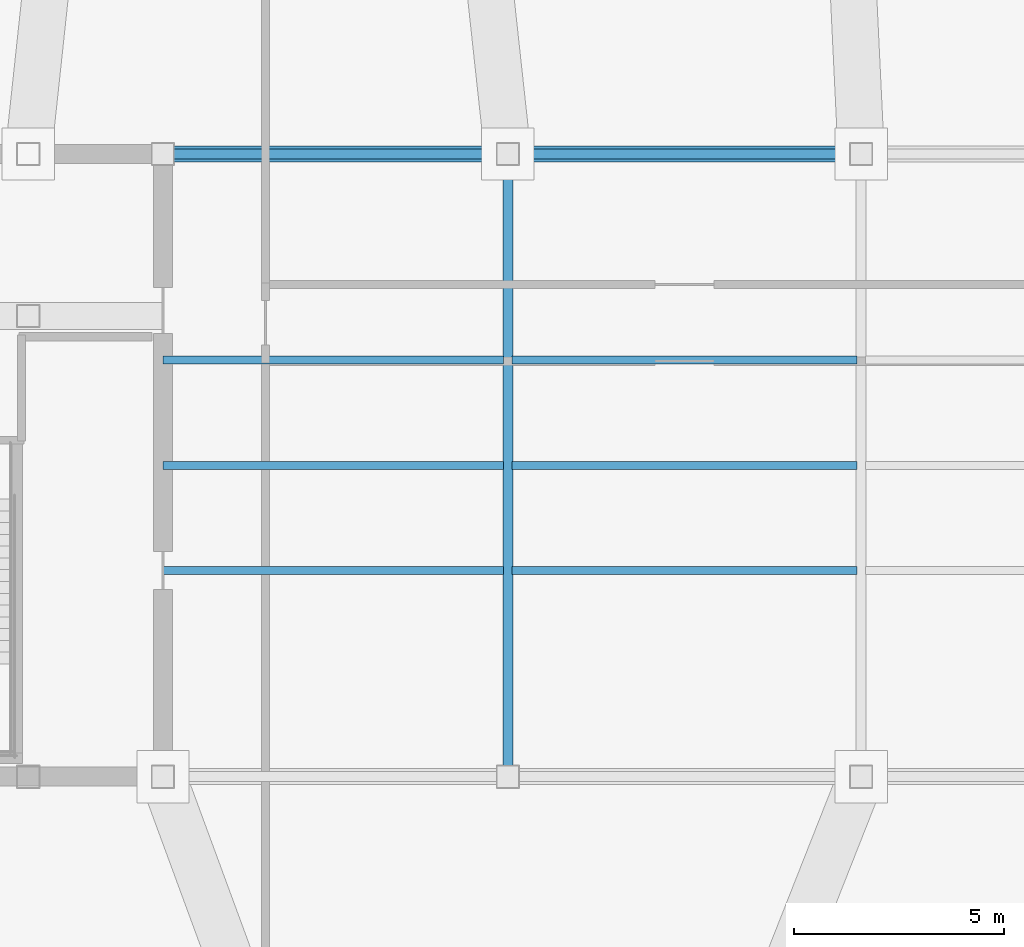
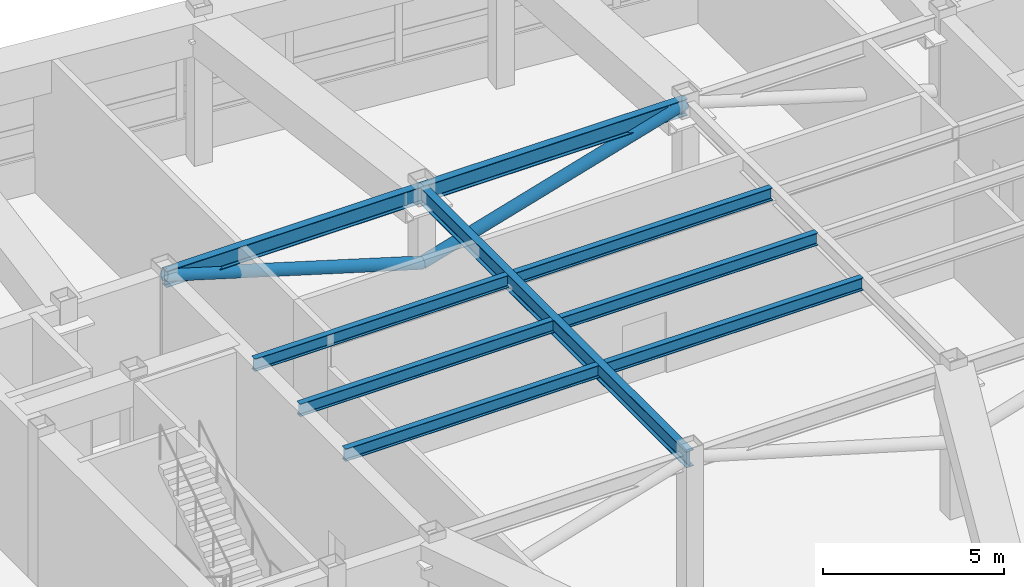
# One storey, part 8 of 23: 9 beams, 2 members.
"""IFC4 building model written with IfcOpenShell, lengths in metres."""

from ifc_helpers import new_model, si_unit, direction, frame, origin, origin_2d, place, context, subcontext, project, spatial, hollow_circle, i_section, extrude, material, material_profile, profile_set, type_object, element, save


model = new_model("IFC4")

# Units and contexts
model_context = context("Model", 3, precision=1e-05, world=origin(), true_north=direction((0.0, 1.0)))
body_context = subcontext(model_context, "Body", "Model", "MODEL_VIEW")
ifc_project = project(units=[si_unit("LENGTHUNIT", "METRE"), si_unit("AREAUNIT", "SQUARE_METRE"), si_unit("VOLUMEUNIT", "CUBIC_METRE"), si_unit("PLANEANGLEUNIT", "RADIAN"), si_unit("MASSUNIT", "GRAM", prefix="KILO")], contexts=[model_context])

# Site, building, storey
site_placement = place(None, origin())
site = spatial("IfcSite", under=ifc_project, at=site_placement, CompositionType="ELEMENT")
building_placement = place(site_placement, origin())
building = spatial("IfcBuilding", under=site, at=building_placement, Name="Voryun Gate Residences", CompositionType="ELEMENT")
storey_placement = place(building_placement, frame((0.0, 0.0, 316.0)))
storey = spatial("IfcBuildingStorey", under=building, at=storey_placement, Name="L78", CompositionType="ELEMENT", Elevation=316.0)

# Beams
ifc_material_1 = material(Name="Steel SM355", Category="steel")
ifc_material_profile_1 = material_profile(ifc_material_1, i_section(OverallWidth=0.239990234375, OverallDepth=0.550048828125, WebThickness=0.011962890625, FlangeThickness=0.02001953125, FilletRadius=0.01806640625, at=origin_2d()), Name="H-550x240x12x20")
ifc_profile_set_1 = profile_set([ifc_material_profile_1], Name="Steel SM355")
beam_type_1 = type_object("IfcBeamType", Name="BM_GIRD_550", PredefinedType="USERDEFINED", material=ifc_profile_set_1)
beam_1_placement = place(storey_placement, frame((-12.39990234375, 7.39990234375, 4.75), z_axis=(1.0, 0.0, 0.0), x_axis=(0.0, 1.0, 0.0)))
element("IfcBeam", 1, at=beam_1_placement, inside=storey, type_object=beam_type_1, Name="BM-L78-SPG1-N", ObjectType="GIRDER", PredefinedType="USERDEFINED", context=body_context, shape_type="SweptSolid", body=[
    extrude(i_section(OverallWidth=0.239990234375, OverallDepth=0.550048828125, WebThickness=0.011962890625, FlangeThickness=0.02001953125, FilletRadius=0.01806640625, at=origin_2d()), origin(), (0.0, 0.0, 1.0), 8.199951171875),
])
beam_2_placement = place(storey_placement, frame((-4.199951171875, 7.39990234375, 4.75), z_axis=(1.0, 0.0, 0.0), x_axis=(0.0, 1.0, 0.0)))
element("IfcBeam", 2, at=beam_2_placement, inside=storey, type_object=beam_type_1, Name="BM-L78-SPG2-N", ObjectType="GIRDER", PredefinedType="USERDEFINED", context=body_context, shape_type="SweptSolid", body=[
    extrude(i_section(OverallWidth=0.239990234375, OverallDepth=0.550048828125, WebThickness=0.011962890625, FlangeThickness=0.02001953125, FilletRadius=0.01806640625, at=origin_2d()), origin(), (0.0, 0.0, 1.0), 8.39990234375),
])
beam_3_placement = place(storey_placement, frame((-4.199951171875, -7.39990234375, 4.75), z_axis=(0.0, 1.0, 0.0), x_axis=(-1.0, 0.0, 0.0)))
element("IfcBeam", 3, at=beam_3_placement, inside=storey, type_object=beam_type_1, Name="BM-L78-SPX-W", ObjectType="GIRDER", PredefinedType="USERDEFINED", context=body_context, shape_type="SweptSolid", body=[
    extrude(i_section(OverallWidth=0.239990234375, OverallDepth=0.550048828125, WebThickness=0.011962890625, FlangeThickness=0.02001953125, FilletRadius=0.01806640625, at=origin_2d()), origin(), (0.0, 0.0, 1.0), 14.7998046875),
])
ifc_material_2 = material(Name="Steel SM355", Category="steel")
ifc_material_profile_2 = material_profile(ifc_material_2, i_section(OverallWidth=0.18994140625, OverallDepth=0.419921875, WebThickness=0.009033203125, FlangeThickness=0.01611328125, FilletRadius=0.01806640625, at=origin_2d()), Name="H-420x190x9x16")
ifc_profile_set_2 = profile_set([ifc_material_profile_2], Name="Steel SM355")
beam_type_2 = type_object("IfcBeamType", Name="BM_SEC_420", PredefinedType="BEAM", material=ifc_profile_set_2)
beam_4_placement = place(storey_placement, frame((-12.39990234375, -2.5, 4.81494140625), z_axis=(1.0, 0.0, 0.0), x_axis=(0.0, 1.0, 0.0)))
element("IfcBeam", 4, at=beam_4_placement, inside=storey, type_object=beam_type_2, Name="BM-L78-SEC-CS1", PredefinedType="BEAM", context=body_context, shape_type="SweptSolid", body=[
    extrude(i_section(OverallWidth=0.18994140625, OverallDepth=0.419921875, WebThickness=0.009033203125, FlangeThickness=0.01611328125, FilletRadius=0.01806640625, at=origin_2d()), origin(), (0.0, 0.0, 1.0), 8.099853515625),
])
beam_5_placement = place(storey_placement, frame((-4.10009765625, -2.5, 4.81494140625), z_axis=(1.0, 0.0, 0.0), x_axis=(0.0, 1.0, 0.0)))
element("IfcBeam", 5, at=beam_5_placement, inside=storey, type_object=beam_type_2, Name="BM-L78-SEC-CS2", PredefinedType="BEAM", context=body_context, shape_type="SweptSolid", body=[
    extrude(i_section(OverallWidth=0.18994140625, OverallDepth=0.419921875, WebThickness=0.009033203125, FlangeThickness=0.01611328125, FilletRadius=0.01806640625, at=origin_2d()), origin(), (0.0, 0.0, 1.0), 8.2001953125),
])
beam_6_placement = place(storey_placement, frame((-12.39990234375, 0.0, 4.81494140625), z_axis=(1.0, 0.0, 0.0), x_axis=(0.0, 1.0, 0.0)))
element("IfcBeam", 6, at=beam_6_placement, inside=storey, type_object=beam_type_2, Name="BM-L78-SEC-CM1", PredefinedType="BEAM", context=body_context, shape_type="SweptSolid", body=[
    extrude(i_section(OverallWidth=0.18994140625, OverallDepth=0.419921875, WebThickness=0.009033203125, FlangeThickness=0.01611328125, FilletRadius=0.01806640625, at=origin_2d()), origin(), (0.0, 0.0, 1.0), 8.099853515625),
])
beam_7_placement = place(storey_placement, frame((-4.10009765625, 0.0, 4.81494140625), z_axis=(1.0, 0.0, 0.0), x_axis=(0.0, 1.0, 0.0)))
element("IfcBeam", 7, at=beam_7_placement, inside=storey, type_object=beam_type_2, Name="BM-L78-SEC-CM2", PredefinedType="BEAM", context=body_context, shape_type="SweptSolid", body=[
    extrude(i_section(OverallWidth=0.18994140625, OverallDepth=0.419921875, WebThickness=0.009033203125, FlangeThickness=0.01611328125, FilletRadius=0.01806640625, at=origin_2d()), origin(), (0.0, 0.0, 1.0), 8.2001953125),
])
beam_8_placement = place(storey_placement, frame((-12.39990234375, 2.5, 4.81494140625), z_axis=(1.0, 0.0, 0.0), x_axis=(0.0, 1.0, 0.0)))
element("IfcBeam", 8, at=beam_8_placement, inside=storey, type_object=beam_type_2, Name="BM-L78-SEC-CN1", PredefinedType="BEAM", context=body_context, shape_type="SweptSolid", body=[
    extrude(i_section(OverallWidth=0.18994140625, OverallDepth=0.419921875, WebThickness=0.009033203125, FlangeThickness=0.01611328125, FilletRadius=0.01806640625, at=origin_2d()), origin(), (0.0, 0.0, 1.0), 8.099853515625),
])
beam_9_placement = place(storey_placement, frame((-4.10009765625, 2.5, 4.81494140625), z_axis=(1.0, 0.0, 0.0), x_axis=(0.0, 1.0, 0.0)))
element("IfcBeam", 9, at=beam_9_placement, inside=storey, type_object=beam_type_2, Name="BM-L78-SEC-CN2", PredefinedType="BEAM", context=body_context, shape_type="SweptSolid", body=[
    extrude(i_section(OverallWidth=0.18994140625, OverallDepth=0.419921875, WebThickness=0.009033203125, FlangeThickness=0.01611328125, FilletRadius=0.01806640625, at=origin_2d()), origin(), (0.0, 0.0, 1.0), 8.2001953125),
])

# Members
ifc_material_3 = material(Name="Steel SM355", Category="steel")
ifc_material_profile_3 = material_profile(ifc_material_3, hollow_circle(Radius=0.18994140625, WallThickness=0.01806640625, at=origin_2d()), Name="CHS-380x18")
ifc_profile_set_3 = profile_set([ifc_material_profile_3], Name="Steel SM355")
member_type = type_object("IfcMemberType", Name="MBR_CROWN_DIAGRID", PredefinedType="BRACE", material=ifc_profile_set_3)
member_1_placement = place(storey_placement, frame((-4.199951171875, 7.39990234375, 2.3798828125), z_axis=(-0.957662114733, 0.0, 0.287894553621), x_axis=(0.0, -1.0, 0.0)))
element("IfcMember", 10, at=member_1_placement, inside=storey, type_object=member_type, Name="L78 Lantern Spine Diagrid Brace 04", PredefinedType="BRACE", context=body_context, shape_type="SweptSolid", body=[
    extrude(hollow_circle(Radius=0.18994140625, WallThickness=0.01806640625, at=origin_2d()), origin(), (0.0, 0.0, 1.0), 8.5625),
])
member_2_placement = place(storey_placement, frame((-4.199951171875, 7.39990234375, 2.3798828125), z_axis=(0.959534525743, 0.0, 0.281591004663), x_axis=(0.0, 1.0, 0.0)))
element("IfcMember", 11, at=member_2_placement, inside=storey, type_object=member_type, Name="L78 Lantern Spine Diagrid Brace 05", PredefinedType="BRACE", context=body_context, shape_type="SweptSolid", body=[
    extrude(hollow_circle(Radius=0.18994140625, WallThickness=0.01806640625, at=origin_2d()), origin(), (0.0, 0.0, 1.0), 8.754150390625),
])

save(model, "model.ifc")
